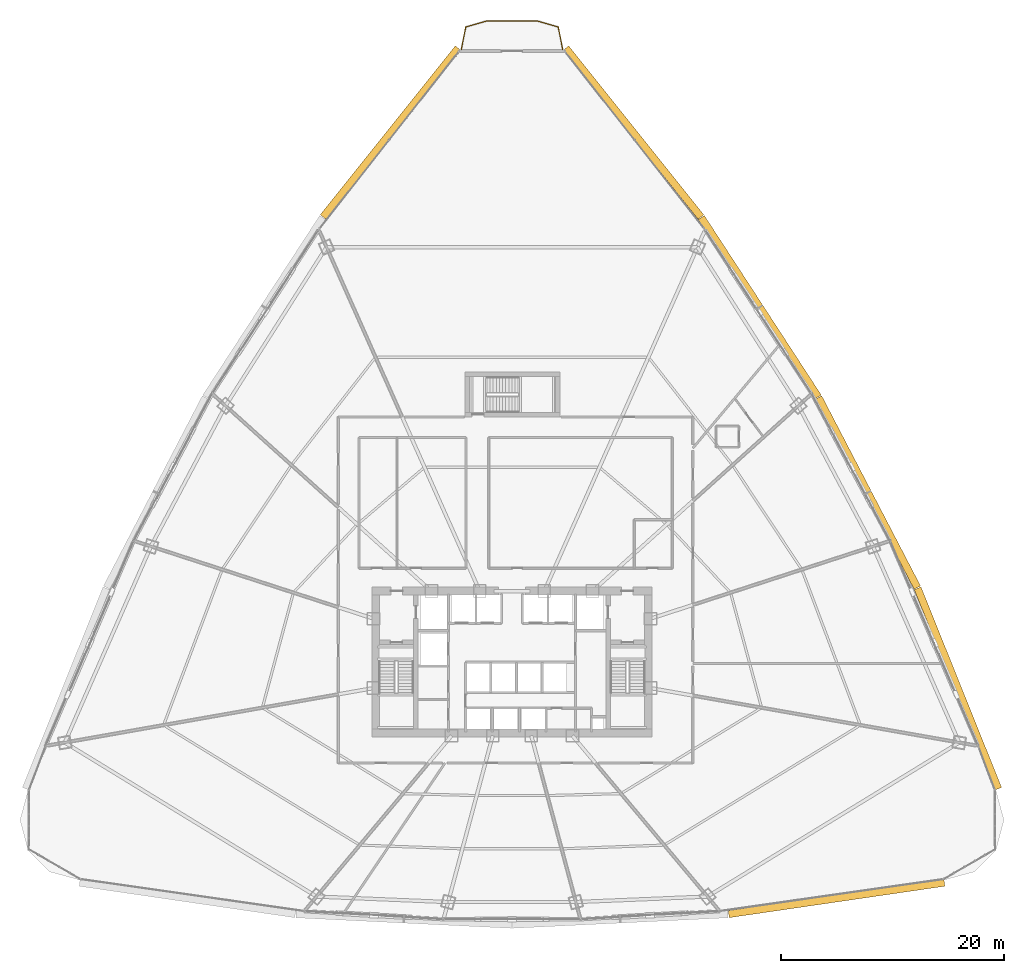
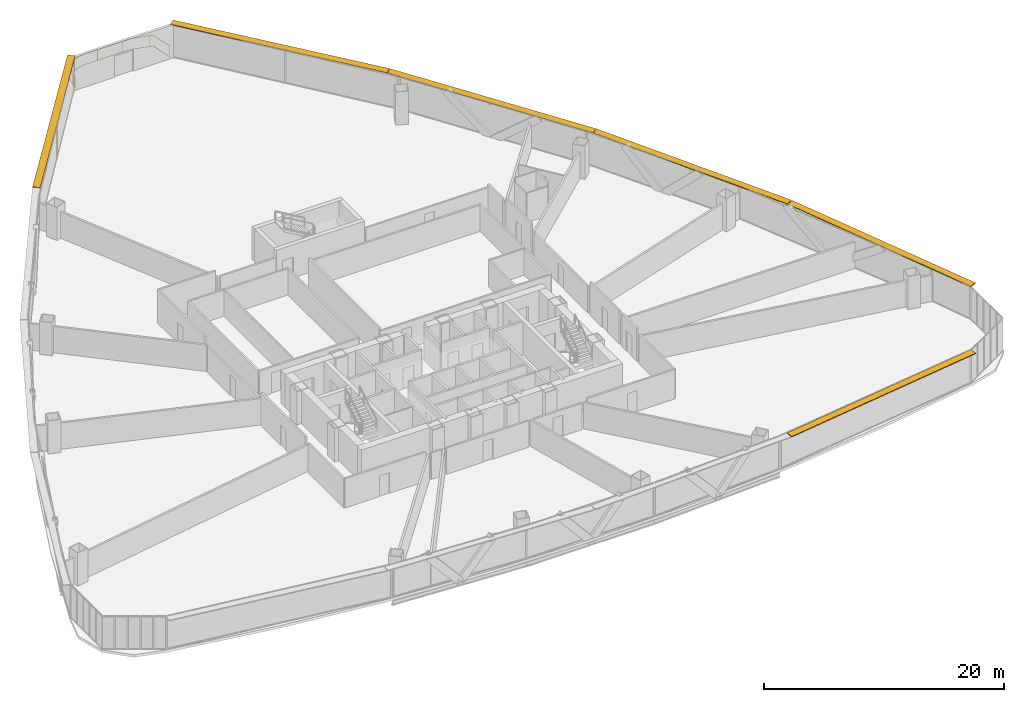
# One storey, part 42 of 42: 6 shading devices, 1 railing.
"""IFC4 building model written with IfcOpenShell, lengths in metres."""

from ifc_helpers import new_model, si_unit, direction, frame, origin, origin_2d, place, context, subcontext, project, spatial, rectangle, extrude, source, transform, mapped, material, layer, layer_set, type_object, element, save


model = new_model("IFC4")

# Units and contexts
model_context = context("Model", 3, precision=1e-05, world=origin(), true_north=direction((0.0, 1.0)))
body_context = subcontext(model_context, "Body", "Model", "MODEL_VIEW")
ifc_project = project(units=[si_unit("LENGTHUNIT", "METRE"), si_unit("AREAUNIT", "SQUARE_METRE"), si_unit("VOLUMEUNIT", "CUBIC_METRE"), si_unit("PLANEANGLEUNIT", "RADIAN"), si_unit("MASSUNIT", "GRAM", prefix="KILO"), si_unit("THERMODYNAMICTEMPERATUREUNIT", "KELVIN"), si_unit("POWERUNIT", "WATT")], contexts=[model_context])

# Site, building, storey
site_placement = place(None, origin())
site = spatial("IfcSite", under=ifc_project, at=site_placement, CompositionType="ELEMENT")
building_placement = place(site_placement, origin())
building = spatial("IfcBuilding", under=site, at=building_placement, Name="Yunzhuo Pagoda Commons", CompositionType="ELEMENT")
storey_placement = place(building_placement, frame((0.0, 0.0, 41.2900390625)))
storey = spatial("IfcBuildingStorey", under=building, at=storey_placement, Name="L10", CompositionType="ELEMENT", Elevation=41.2900390625)

# Railing
ifc_material = material(Name="Anodized aluminium 6063-T6", Category="aluminium")
railing_type = type_object("IfcRailingType", Name="RL-BAL1 Exterior Terrace & Balcony Balustrade 1150", PredefinedType="BALUSTRADE", material=ifc_material)
railing_placement = place(storey_placement, frame((52.543212890625, 88.695556640625, 0.0)))
element("IfcRailing", 1, at=railing_placement, inside=storey, type_object=railing_type, Name="L10 corner balcony balustrade V3", PredefinedType="BALUSTRADE", context=body_context, shape_type="SweptSolid", body=[
    extrude(rectangle(XDim=0.048095703125, YDim=0.048095703125, at=origin_2d()), frame((0.0, 0.0, 1.1259765625), z_axis=(-0.194200568098, 0.980961843983, 0.0), x_axis=(-0.980961843983, -0.194200568098, 0.0)), (0.0, 0.0, 1.0), 2.059326171875),
    extrude(rectangle(XDim=0.048095703125, YDim=0.048095703125, at=origin_2d()), frame((0.0, 0.0, 0.02392578125), z_axis=(-0.194200568098, 0.980961843983, 0.0), x_axis=(-0.980961843983, -0.194200568098, 0.0)), (0.0, 0.0, 1.0), 2.059326171875),
    extrude(rectangle(XDim=0.048095703125, YDim=0.048095703125, at=origin_2d()), frame((-0.39990234375, 2.02001953125, 1.1259765625), z_axis=(-0.960585861266, 0.277983458386, 0.0), x_axis=(-0.277983458386, -0.960585861266, 0.0)), (0.0, 0.0, 1.0), 1.90673828125),
    extrude(rectangle(XDim=0.048095703125, YDim=0.048095703125, at=origin_2d()), frame((-0.39990234375, 2.02001953125, 0.02392578125), z_axis=(-0.960585861266, 0.277983458386, 0.0), x_axis=(-0.277983458386, -0.960585861266, 0.0)), (0.0, 0.0, 1.0), 1.90673828125),
    extrude(rectangle(XDim=0.048095703125, YDim=0.048095703125, at=origin_2d()), frame((-2.2314453125, 2.550048828125, 1.1259765625), z_axis=(-1.0, 0.0, 0.0), x_axis=(0.0, -1.0, 0.0)), (0.0, 0.0, 1.0), 4.62353515625),
    extrude(rectangle(XDim=0.048095703125, YDim=0.048095703125, at=origin_2d()), frame((-2.2314453125, 2.550048828125, 0.02392578125), z_axis=(-1.0, 0.0, 0.0), x_axis=(0.0, -1.0, 0.0)), (0.0, 0.0, 1.0), 4.62353515625),
    extrude(rectangle(XDim=0.048095703125, YDim=0.048095703125, at=origin_2d()), frame((-6.85498046875, 2.550048828125, 1.1259765625), z_axis=(-0.960585861266, -0.277983458386, 0.0), x_axis=(0.277983458386, -0.960585861266, 0.0)), (0.0, 0.0, 1.0), 1.90673828125),
    extrude(rectangle(XDim=0.048095703125, YDim=0.048095703125, at=origin_2d()), frame((-6.85498046875, 2.550048828125, 0.02392578125), z_axis=(-0.960585861266, -0.277983458386, 0.0), x_axis=(0.277983458386, -0.960585861266, 0.0)), (0.0, 0.0, 1.0), 1.90673828125),
    extrude(rectangle(XDim=0.048095703125, YDim=0.048095703125, at=origin_2d()), frame((-8.6865234375, 2.02001953125, 1.1259765625), z_axis=(-0.194200568098, -0.980961843983, 0.0), x_axis=(0.980961843983, -0.194200568098, 0.0)), (0.0, 0.0, 1.0), 2.059326171875),
    extrude(rectangle(XDim=0.048095703125, YDim=0.048095703125, at=origin_2d()), frame((-8.6865234375, 2.02001953125, 0.02392578125), z_axis=(-0.194200568098, -0.980961843983, 0.0), x_axis=(0.980961843983, -0.194200568098, 0.0)), (0.0, 0.0, 1.0), 2.059326171875),
    extrude(rectangle(XDim=0.0419921875, YDim=0.0419921875, at=origin_2d()), origin(), (0.0, 0.0, 1.0), 1.101806640625),
    extrude(rectangle(XDim=0.0419921875, YDim=0.0419921875, at=origin_2d()), frame((-0.727294921875, 2.11474609375, 0.0)), (0.0, 0.0, 1.0), 1.101806640625),
    extrude(rectangle(XDim=0.0419921875, YDim=0.0419921875, at=origin_2d()), frame((-3.0654296875, 2.550048828125, 0.0)), (0.0, 0.0, 1.0), 1.101806640625),
    extrude(rectangle(XDim=0.0419921875, YDim=0.0419921875, at=origin_2d()), frame((-5.465576171875, 2.550048828125, 0.0)), (0.0, 0.0, 1.0), 1.101806640625),
    extrude(rectangle(XDim=0.0419921875, YDim=0.0419921875, at=origin_2d()), frame((-7.82568359375, 2.26904296875, 0.0)), (0.0, 0.0, 1.0), 1.101806640625),
    extrude(rectangle(XDim=0.0419921875, YDim=0.0419921875, at=origin_2d()), frame((-8.978515625, 0.544677734375, 0.0)), (0.0, 0.0, 1.0), 1.101806640625),
    extrude(rectangle(XDim=0.0419921875, YDim=0.0419921875, at=origin_2d()), frame((-9.08642578125, 0.0, 0.0)), (0.0, 0.0, 1.0), 1.101806640625),
])

# Shading devices
ifc_layer = layer(ifc_material, 0.080078125)
ifc_layer_set = layer_set([ifc_layer], Name="Anodized aluminium 6063-T6")
shading_device_type = type_object("IfcShadingDeviceType", Name="SH-SUN1 Pagoda Horizontal Sunshade Eave 650", PredefinedType="USERDEFINED", material=ifc_layer_set)
shared_shape_1 = source(origin(), body_context, "Body", "SweptSolid", [
    extrude(rectangle(XDim=19.519287109375, YDim=0.64990234375, at=origin_2d()), origin(), (0.0, 0.0, 1.0), 0.080078125),
])
shading_device_placement = place(storey_placement, frame((77.06591796875, 12.681884765625, 3.2900390625), z_axis=(0.0, 0.0, 1.0), x_axis=(0.989510666697, 0.144459823108, 0.0)))
element("IfcShadingDevice", 2, at=shading_device_placement, inside=storey, type_object=shading_device_type, Name="L10 horizontal pagoda sunshade eave F1.4", ObjectType="SUNSHADE", PredefinedType="USERDEFINED", context=body_context, shape_type="MappedRepresentation", body=[
    mapped(shared_shape_1, transform((0.0, 0.0, 0.0), scale=1.0)),
])
shared_shape_2 = source(origin(), body_context, "Body", "SweptSolid", [
    extrude(rectangle(XDim=19.3623046875, YDim=0.64990234375, at=origin_2d()), origin(), (0.0, 0.0, 1.0), 0.080078125),
])
for number, where, z_axis, x_axis, name in (
    (3, (87.935791015625, 31.47509765625, 3.2900390625), (0.0, 0.0, 1.0), (-0.372987782576, 0.927836253899, 0.0), "L10 horizontal pagoda sunshade eave F2.1"),
    (4, (58.869384765625, 81.268798828125, 3.2900390625), (0.0, 0.0, 1.0), (-0.624520471688, 0.781008438138, 0.0), "L10 horizontal pagoda sunshade eave F2.4"),
    (5, (37.130615234375, 81.268798828125, 3.2900390625), (0.0, 0.0, 1.0), (-0.624520471688, -0.781008438138, 0.0), "L10 horizontal pagoda sunshade eave F3.1"),
):
    element("IfcShadingDevice", number, at=place(storey_placement, frame(where, z_axis=z_axis, x_axis=x_axis)), inside=storey, type_object=shading_device_type, Name=name, ObjectType="SUNSHADE", PredefinedType="USERDEFINED", context=body_context, shape_type="MappedRepresentation", body=[
        mapped(shared_shape_2, transform((0.0, 0.0, 0.0), scale=1.0)),
    ])
shared_shape_3 = source(origin(), body_context, "Body", "SweptSolid", [
    extrude(rectangle(XDim=19.1787109375, YDim=0.64990234375, at=origin_2d()), origin(), (0.0, 0.0, 1.0), 0.080078125),
])
for number, where, z_axis, x_axis, name in (
    (6, (79.875732421875, 49.023681640625, 3.2900390625), (0.0, 0.0, 1.0), (-0.461206683033, 0.88729273384, 0.0), "L10 horizontal pagoda sunshade eave F2.2"),
    (7, (70.186767578125, 65.62158203125, 3.2900390625), (0.0, 0.0, 1.0), (-0.545853380833, 0.837880711458, 0.0), "L10 horizontal pagoda sunshade eave F2.3"),
):
    element("IfcShadingDevice", number, at=place(storey_placement, frame(where, z_axis=z_axis, x_axis=x_axis)), inside=storey, type_object=shading_device_type, Name=name, ObjectType="SUNSHADE", PredefinedType="USERDEFINED", context=body_context, shape_type="MappedRepresentation", body=[
        mapped(shared_shape_3, transform((0.0, 0.0, 0.0), scale=1.0)),
    ])

save(model, "model.ifc")
